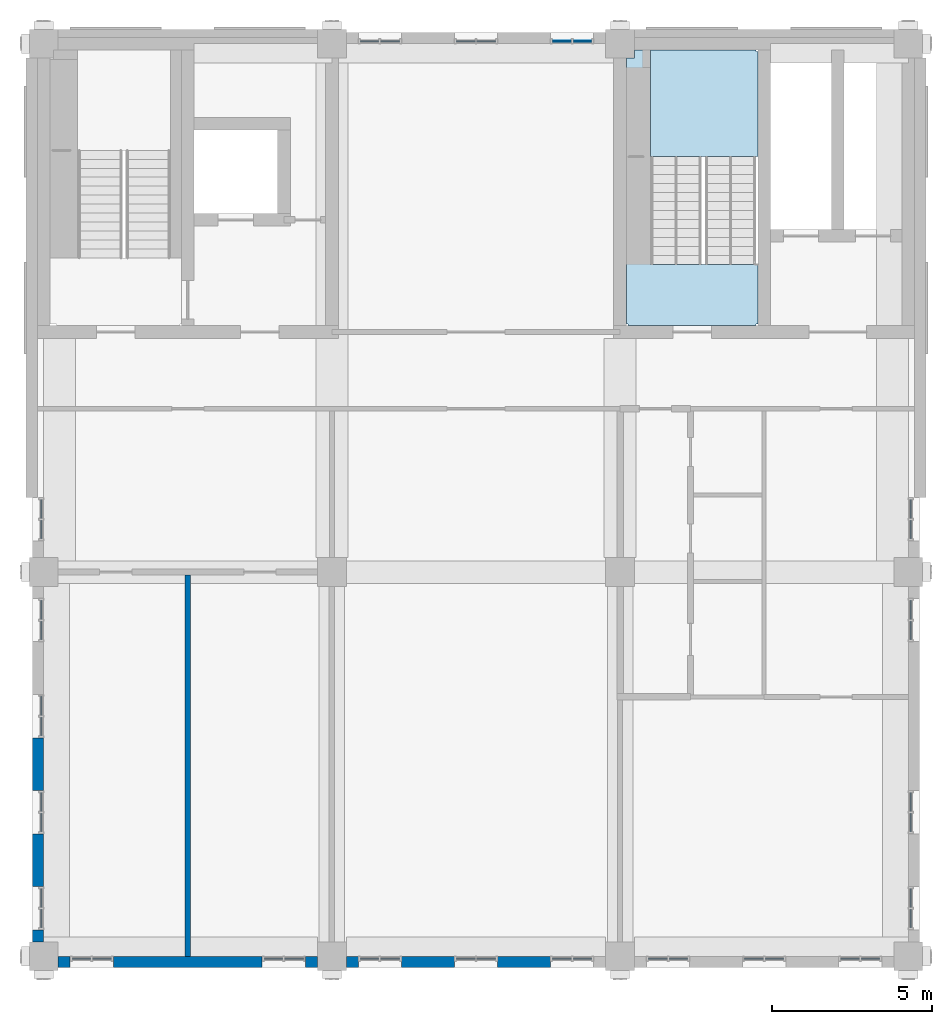
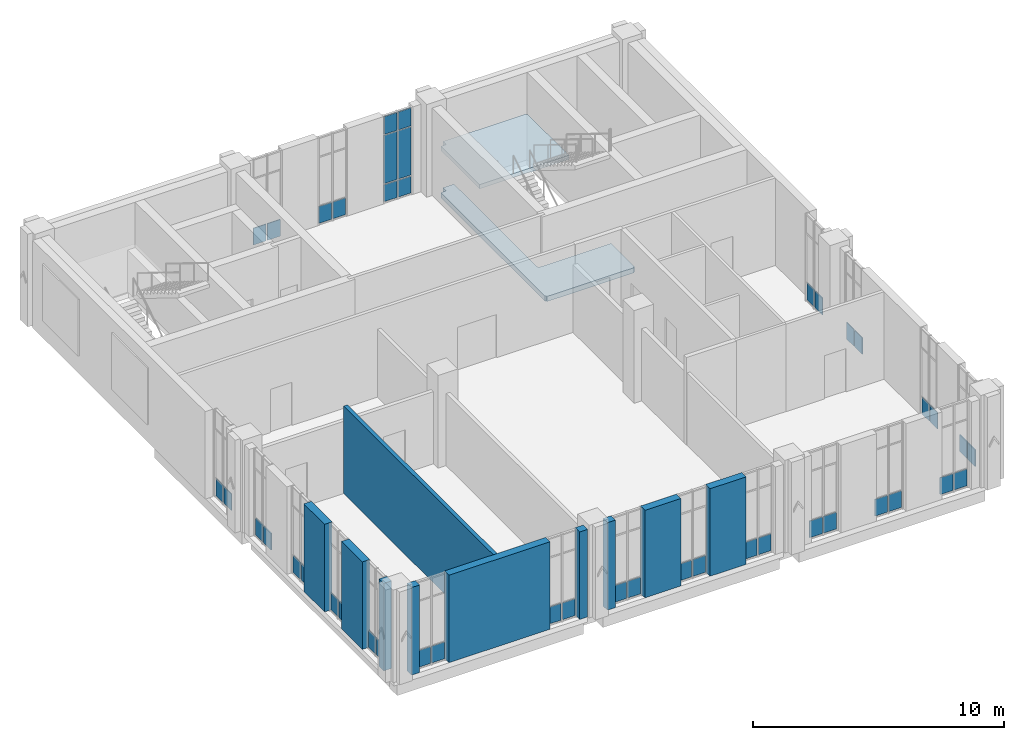
# One storey, part 8 of 13: 44 plates, 10 walls, 2 slabs, 21 elements without a shape of their own.
"""IFC4 building model written with IfcOpenShell, lengths in metres."""

from ifc_helpers import new_model, si_unit, direction, frame, frame_2d, origin, origin_2d, place, context, subcontext, project, spatial, polyline, rectangle, outline, extrude, material, layer, layer_set, type_object, element, aggregate, save


model = new_model("IFC4")

# Units and contexts
model_context = context("Model", 3, precision=1e-05, world=origin(), true_north=direction((0.0, 1.0)))
body_context = subcontext(model_context, "Body", "Model", "MODEL_VIEW")
ifc_project = project(units=[si_unit("LENGTHUNIT", "METRE"), si_unit("AREAUNIT", "SQUARE_METRE"), si_unit("VOLUMEUNIT", "CUBIC_METRE"), si_unit("PLANEANGLEUNIT", "RADIAN"), si_unit("MASSUNIT", "GRAM", prefix="KILO")], contexts=[model_context])

# Site, building, storey
site_placement = place(None, origin())
site = spatial("IfcSite", under=ifc_project, at=site_placement, CompositionType="ELEMENT")
building_placement = place(site_placement, origin())
building = spatial("IfcBuilding", under=site, at=building_placement, Name="Aurelan Courthouse", CompositionType="ELEMENT")
storey_placement = place(building_placement, frame((0.0, 0.0, 48.89990234375)))
storey = spatial("IfcBuildingStorey", under=building, at=storey_placement, Name="L09", CompositionType="ELEMENT", Elevation=48.89990234375)

# Curtain wall, plates
ifc_material_1 = material(Name="Bronze-finished aluminium and glass", Category="aluminium")
ifc_layer_1 = layer(ifc_material_1, 0.14990234375)
ifc_layer_set_1 = layer_set([ifc_layer_1], Name="Bronze-finished aluminium and glass")
curtain_wall_type = type_object("IfcCurtainWallType", Name="Curtain wall 1350 x 4250", PredefinedType="NOTDEFINED", material=ifc_layer_set_1)
curtain_wall_1_placement = place(storey_placement, origin())
curtain_wall_1 = element("IfcCurtainWall", 1, at=curtain_wall_1_placement, inside=storey, type_object=curtain_wall_type, Name="Curtain wall CW-V5-L09-N03", PredefinedType="NOTDEFINED")
ifc_material_2 = material(Name="Limestone cladding", Category="masonry")
ifc_layer_2 = layer(ifc_material_2, 0.0400390625, Name="Facing")
ifc_material_3 = material(Name="Bronze sheet cladding", Category="bronze")
ifc_layer_3 = layer(ifc_material_3, 0.02001953125, Name="Back sheet")
ifc_layer_set_2 = layer_set([ifc_layer_2, ifc_layer_3], Name="Limestone cladding")
plate_type_1 = type_object("IfcPlateType", Name="Limestone spandrel panel with bronze back sheet 60", PredefinedType="CURTAIN_PANEL", material=ifc_layer_set_2)
plate_1_placement = place(storey_placement, frame((16.177490234375, 28.574951171875, 3.330078125), z_axis=(0.0, 0.0, 1.0), x_axis=(1.0, 0.0, 0.0)))
plate_1 = element("IfcPlate", 2, at=plate_1_placement, type_object=plate_type_1, Name="CW-V5-L09-N03 spandrel panel 1.3", PredefinedType="CURTAIN_PANEL", context=body_context, shape_type="SweptSolid", body=[
    extrude(rectangle(XDim=0.5849609375, YDim=0.06005859375, at=origin_2d()), origin(), (0.0, 0.0, 1.0), 0.860107421875),
])
plate_2_placement = place(storey_placement, frame((16.822509765625, 28.574951171875, 3.330078125), z_axis=(0.0, 0.0, 1.0), x_axis=(1.0, 0.0, 0.0)))
plate_2 = element("IfcPlate", 3, at=plate_2_placement, type_object=plate_type_1, Name="CW-V5-L09-N03 spandrel panel 2.3", PredefinedType="CURTAIN_PANEL", context=body_context, shape_type="SweptSolid", body=[
    extrude(rectangle(XDim=0.5849609375, YDim=0.06005859375, at=origin_2d()), origin(), (0.0, 0.0, 1.0), 0.860107421875),
])

curtain_wall_2_placement = place(storey_placement, origin())
curtain_wall_2 = element("IfcCurtainWall", 4, at=curtain_wall_2_placement, inside=storey, type_object=curtain_wall_type, Name="Curtain wall CW-V5-L09-S01", PredefinedType="NOTDEFINED")
ifc_material_4 = material(Name="Bronze-finished aluminium", Category="aluminium")
ifc_layer_4 = layer(ifc_material_4, 0.0400390625)
ifc_layer_set_3 = layer_set([ifc_layer_4], Name="Bronze-finished aluminium")
plate_type_2 = type_object("IfcPlateType", Name="Sill panel 40", PredefinedType="CURTAIN_PANEL", material=ifc_layer_set_3)
plate_3_placement = place(storey_placement, frame((1.177490234375, -0.074951171875, 0.06005859375), z_axis=(0.0, 0.0, 1.0), x_axis=(1.0, 0.0, 0.0)))
plate_3 = element("IfcPlate", 5, at=plate_3_placement, type_object=plate_type_2, Name="CW-V5-L09-S01 sill panel 1.1", PredefinedType="CURTAIN_PANEL", context=body_context, shape_type="SweptSolid", body=[
    extrude(rectangle(XDim=0.5849609375, YDim=0.0400390625, at=origin_2d()), origin(), (0.0, 0.0, 1.0), 0.81005859375),
])
plate_4_placement = place(storey_placement, frame((1.822509765625, -0.074951171875, 0.06005859375), z_axis=(0.0, 0.0, 1.0), x_axis=(1.0, 0.0, 0.0)))
plate_4 = element("IfcPlate", 6, at=plate_4_placement, type_object=plate_type_2, Name="CW-V5-L09-S01 sill panel 2.1", PredefinedType="CURTAIN_PANEL", context=body_context, shape_type="SweptSolid", body=[
    extrude(rectangle(XDim=0.5849609375, YDim=0.0400390625, at=origin_2d()), origin(), (0.0, 0.0, 1.0), 0.81005859375),
])
aggregate(curtain_wall_2, [plate_3, plate_4])

curtain_wall_3_placement = place(storey_placement, origin())
curtain_wall_3 = element("IfcCurtainWall", 7, at=curtain_wall_3_placement, inside=storey, type_object=curtain_wall_type, Name="Curtain wall CW-V5-L09-S02", PredefinedType="NOTDEFINED")
plate_5_placement = place(storey_placement, frame((7.177490234375, -0.074951171875, 0.06005859375), z_axis=(0.0, 0.0, 1.0), x_axis=(1.0, 0.0, 0.0)))
plate_5 = element("IfcPlate", 8, at=plate_5_placement, type_object=plate_type_2, Name="CW-V5-L09-S02 sill panel 1.1", PredefinedType="CURTAIN_PANEL", context=body_context, shape_type="SweptSolid", body=[
    extrude(rectangle(XDim=0.5849609375, YDim=0.0400390625, at=origin_2d()), origin(), (0.0, 0.0, 1.0), 0.81005859375),
])
plate_6_placement = place(storey_placement, frame((7.822509765625, -0.074951171875, 0.06005859375), z_axis=(0.0, 0.0, 1.0), x_axis=(1.0, 0.0, 0.0)))
plate_6 = element("IfcPlate", 9, at=plate_6_placement, type_object=plate_type_2, Name="CW-V5-L09-S02 sill panel 2.1", PredefinedType="CURTAIN_PANEL", context=body_context, shape_type="SweptSolid", body=[
    extrude(rectangle(XDim=0.5849609375, YDim=0.0400390625, at=origin_2d()), origin(), (0.0, 0.0, 1.0), 0.81005859375),
])
aggregate(curtain_wall_3, [plate_5, plate_6])

curtain_wall_4_placement = place(storey_placement, origin())
curtain_wall_4 = element("IfcCurtainWall", 10, at=curtain_wall_4_placement, inside=storey, type_object=curtain_wall_type, Name="Curtain wall CW-V5-L09-S03", PredefinedType="NOTDEFINED")
plate_7_placement = place(storey_placement, frame((10.177490234375, -0.074951171875, 0.06005859375), z_axis=(0.0, 0.0, 1.0), x_axis=(1.0, 0.0, 0.0)))
plate_7 = element("IfcPlate", 11, at=plate_7_placement, type_object=plate_type_2, Name="CW-V5-L09-S03 sill panel 1.1", PredefinedType="CURTAIN_PANEL", context=body_context, shape_type="SweptSolid", body=[
    extrude(rectangle(XDim=0.5849609375, YDim=0.0400390625, at=origin_2d()), origin(), (0.0, 0.0, 1.0), 0.81005859375),
])
plate_8_placement = place(storey_placement, frame((10.822509765625, -0.074951171875, 0.06005859375), z_axis=(0.0, 0.0, 1.0), x_axis=(1.0, 0.0, 0.0)))
plate_8 = element("IfcPlate", 12, at=plate_8_placement, type_object=plate_type_2, Name="CW-V5-L09-S03 sill panel 2.1", PredefinedType="CURTAIN_PANEL", context=body_context, shape_type="SweptSolid", body=[
    extrude(rectangle(XDim=0.5849609375, YDim=0.0400390625, at=origin_2d()), origin(), (0.0, 0.0, 1.0), 0.81005859375),
])
aggregate(curtain_wall_4, [plate_7, plate_8])

curtain_wall_5_placement = place(storey_placement, origin())
curtain_wall_5 = element("IfcCurtainWall", 13, at=curtain_wall_5_placement, inside=storey, type_object=curtain_wall_type, Name="Curtain wall CW-V5-L09-S04", PredefinedType="NOTDEFINED")
plate_9_placement = place(storey_placement, frame((13.177490234375, -0.074951171875, 0.06005859375), z_axis=(0.0, 0.0, 1.0), x_axis=(1.0, 0.0, 0.0)))
plate_9 = element("IfcPlate", 14, at=plate_9_placement, type_object=plate_type_2, Name="CW-V5-L09-S04 sill panel 1.1", PredefinedType="CURTAIN_PANEL", context=body_context, shape_type="SweptSolid", body=[
    extrude(rectangle(XDim=0.5849609375, YDim=0.0400390625, at=origin_2d()), origin(), (0.0, 0.0, 1.0), 0.81005859375),
])
plate_10_placement = place(storey_placement, frame((13.822509765625, -0.074951171875, 0.06005859375), z_axis=(0.0, 0.0, 1.0), x_axis=(1.0, 0.0, 0.0)))
plate_10 = element("IfcPlate", 15, at=plate_10_placement, type_object=plate_type_2, Name="CW-V5-L09-S04 sill panel 2.1", PredefinedType="CURTAIN_PANEL", context=body_context, shape_type="SweptSolid", body=[
    extrude(rectangle(XDim=0.5849609375, YDim=0.0400390625, at=origin_2d()), origin(), (0.0, 0.0, 1.0), 0.81005859375),
])
aggregate(curtain_wall_5, [plate_9, plate_10])

curtain_wall_6_placement = place(storey_placement, origin())
curtain_wall_6 = element("IfcCurtainWall", 16, at=curtain_wall_6_placement, inside=storey, type_object=curtain_wall_type, Name="Curtain wall CW-V5-L09-S05", PredefinedType="NOTDEFINED")
plate_11_placement = place(storey_placement, frame((16.177490234375, -0.074951171875, 0.06005859375), z_axis=(0.0, 0.0, 1.0), x_axis=(1.0, 0.0, 0.0)))
plate_11 = element("IfcPlate", 17, at=plate_11_placement, type_object=plate_type_2, Name="CW-V5-L09-S05 sill panel 1.1", PredefinedType="CURTAIN_PANEL", context=body_context, shape_type="SweptSolid", body=[
    extrude(rectangle(XDim=0.5849609375, YDim=0.0400390625, at=origin_2d()), origin(), (0.0, 0.0, 1.0), 0.81005859375),
])
plate_12_placement = place(storey_placement, frame((16.822509765625, -0.074951171875, 0.06005859375), z_axis=(0.0, 0.0, 1.0), x_axis=(1.0, 0.0, 0.0)))
plate_12 = element("IfcPlate", 18, at=plate_12_placement, type_object=plate_type_2, Name="CW-V5-L09-S05 sill panel 2.1", PredefinedType="CURTAIN_PANEL", context=body_context, shape_type="SweptSolid", body=[
    extrude(rectangle(XDim=0.5849609375, YDim=0.0400390625, at=origin_2d()), origin(), (0.0, 0.0, 1.0), 0.81005859375),
])
aggregate(curtain_wall_6, [plate_11, plate_12])

curtain_wall_7_placement = place(storey_placement, origin())
curtain_wall_7 = element("IfcCurtainWall", 19, at=curtain_wall_7_placement, inside=storey, type_object=curtain_wall_type, Name="Curtain wall CW-V5-L09-S06", PredefinedType="NOTDEFINED")
plate_13_placement = place(storey_placement, frame((19.177490234375, -0.074951171875, 0.06005859375), z_axis=(0.0, 0.0, 1.0), x_axis=(1.0, 0.0, 0.0)))
plate_13 = element("IfcPlate", 20, at=plate_13_placement, type_object=plate_type_2, Name="CW-V5-L09-S06 sill panel 1.1", PredefinedType="CURTAIN_PANEL", context=body_context, shape_type="SweptSolid", body=[
    extrude(rectangle(XDim=0.5849609375, YDim=0.0400390625, at=origin_2d()), origin(), (0.0, 0.0, 1.0), 0.81005859375),
])
plate_14_placement = place(storey_placement, frame((19.822509765625, -0.074951171875, 0.06005859375), z_axis=(0.0, 0.0, 1.0), x_axis=(1.0, 0.0, 0.0)))
plate_14 = element("IfcPlate", 21, at=plate_14_placement, type_object=plate_type_2, Name="CW-V5-L09-S06 sill panel 2.1", PredefinedType="CURTAIN_PANEL", context=body_context, shape_type="SweptSolid", body=[
    extrude(rectangle(XDim=0.5849609375, YDim=0.0400390625, at=origin_2d()), origin(), (0.0, 0.0, 1.0), 0.81005859375),
])
aggregate(curtain_wall_7, [plate_13, plate_14])

curtain_wall_8_placement = place(storey_placement, origin())
curtain_wall_8 = element("IfcCurtainWall", 22, at=curtain_wall_8_placement, inside=storey, type_object=curtain_wall_type, Name="Curtain wall CW-V5-L09-S07", PredefinedType="NOTDEFINED")
plate_15_placement = place(storey_placement, frame((22.177490234375, -0.074951171875, 0.06005859375), z_axis=(0.0, 0.0, 1.0), x_axis=(1.0, 0.0, 0.0)))
plate_15 = element("IfcPlate", 23, at=plate_15_placement, type_object=plate_type_2, Name="CW-V5-L09-S07 sill panel 1.1", PredefinedType="CURTAIN_PANEL", context=body_context, shape_type="SweptSolid", body=[
    extrude(rectangle(XDim=0.5849609375, YDim=0.0400390625, at=origin_2d()), origin(), (0.0, 0.0, 1.0), 0.81005859375),
])
plate_16_placement = place(storey_placement, frame((22.822509765625, -0.074951171875, 0.06005859375), z_axis=(0.0, 0.0, 1.0), x_axis=(1.0, 0.0, 0.0)))
plate_16 = element("IfcPlate", 24, at=plate_16_placement, type_object=plate_type_2, Name="CW-V5-L09-S07 sill panel 2.1", PredefinedType="CURTAIN_PANEL", context=body_context, shape_type="SweptSolid", body=[
    extrude(rectangle(XDim=0.5849609375, YDim=0.0400390625, at=origin_2d()), origin(), (0.0, 0.0, 1.0), 0.81005859375),
])
aggregate(curtain_wall_8, [plate_15, plate_16])

curtain_wall_9_placement = place(storey_placement, origin())
curtain_wall_9 = element("IfcCurtainWall", 25, at=curtain_wall_9_placement, inside=storey, type_object=curtain_wall_type, Name="Curtain wall CW-V5-L09-S08", PredefinedType="NOTDEFINED")
plate_17_placement = place(storey_placement, frame((25.177490234375, -0.074951171875, 0.06005859375), z_axis=(0.0, 0.0, 1.0), x_axis=(1.0, 0.0, 0.0)))
plate_17 = element("IfcPlate", 26, at=plate_17_placement, type_object=plate_type_2, Name="CW-V5-L09-S08 sill panel 1.1", PredefinedType="CURTAIN_PANEL", context=body_context, shape_type="SweptSolid", body=[
    extrude(rectangle(XDim=0.5849609375, YDim=0.0400390625, at=origin_2d()), origin(), (0.0, 0.0, 1.0), 0.81005859375),
])
plate_18_placement = place(storey_placement, frame((25.822509765625, -0.074951171875, 0.06005859375), z_axis=(0.0, 0.0, 1.0), x_axis=(1.0, 0.0, 0.0)))
plate_18 = element("IfcPlate", 27, at=plate_18_placement, type_object=plate_type_2, Name="CW-V5-L09-S08 sill panel 2.1", PredefinedType="CURTAIN_PANEL", context=body_context, shape_type="SweptSolid", body=[
    extrude(rectangle(XDim=0.5849609375, YDim=0.0400390625, at=origin_2d()), origin(), (0.0, 0.0, 1.0), 0.81005859375),
])
aggregate(curtain_wall_9, [plate_17, plate_18])

curtain_wall_10_placement = place(storey_placement, origin())
curtain_wall_10 = element("IfcCurtainWall", 28, at=curtain_wall_10_placement, inside=storey, type_object=curtain_wall_type, Name="Curtain wall CW-V5-L09-N01", PredefinedType="NOTDEFINED")
plate_19_placement = place(storey_placement, frame((10.177490234375, 28.574951171875, 0.06005859375), z_axis=(0.0, 0.0, 1.0), x_axis=(1.0, 0.0, 0.0)))
plate_19 = element("IfcPlate", 29, at=plate_19_placement, type_object=plate_type_2, Name="CW-V5-L09-N01 sill panel 1.1", PredefinedType="CURTAIN_PANEL", context=body_context, shape_type="SweptSolid", body=[
    extrude(rectangle(XDim=0.5849609375, YDim=0.0400390625, at=origin_2d()), origin(), (0.0, 0.0, 1.0), 0.81005859375),
])
plate_20_placement = place(storey_placement, frame((10.822509765625, 28.574951171875, 0.06005859375), z_axis=(0.0, 0.0, 1.0), x_axis=(1.0, 0.0, 0.0)))
plate_20 = element("IfcPlate", 30, at=plate_20_placement, type_object=plate_type_2, Name="CW-V5-L09-N01 sill panel 2.1", PredefinedType="CURTAIN_PANEL", context=body_context, shape_type="SweptSolid", body=[
    extrude(rectangle(XDim=0.5849609375, YDim=0.0400390625, at=origin_2d()), origin(), (0.0, 0.0, 1.0), 0.81005859375),
])
aggregate(curtain_wall_10, [plate_19, plate_20])

curtain_wall_11_placement = place(storey_placement, origin())
curtain_wall_11 = element("IfcCurtainWall", 31, at=curtain_wall_11_placement, inside=storey, type_object=curtain_wall_type, Name="Curtain wall CW-V5-L09-N02", PredefinedType="NOTDEFINED")
plate_21_placement = place(storey_placement, frame((13.177490234375, 28.574951171875, 0.06005859375), z_axis=(0.0, 0.0, 1.0), x_axis=(1.0, 0.0, 0.0)))
plate_21 = element("IfcPlate", 32, at=plate_21_placement, type_object=plate_type_2, Name="CW-V5-L09-N02 sill panel 1.1", PredefinedType="CURTAIN_PANEL", context=body_context, shape_type="SweptSolid", body=[
    extrude(rectangle(XDim=0.5849609375, YDim=0.0400390625, at=origin_2d()), origin(), (0.0, 0.0, 1.0), 0.81005859375),
])
plate_22_placement = place(storey_placement, frame((13.822509765625, 28.574951171875, 0.06005859375), z_axis=(0.0, 0.0, 1.0), x_axis=(1.0, 0.0, 0.0)))
plate_22 = element("IfcPlate", 33, at=plate_22_placement, type_object=plate_type_2, Name="CW-V5-L09-N02 sill panel 2.1", PredefinedType="CURTAIN_PANEL", context=body_context, shape_type="SweptSolid", body=[
    extrude(rectangle(XDim=0.5849609375, YDim=0.0400390625, at=origin_2d()), origin(), (0.0, 0.0, 1.0), 0.81005859375),
])
aggregate(curtain_wall_11, [plate_21, plate_22])

# Plate
plate_23_placement = place(storey_placement, frame((16.177490234375, 28.574951171875, 0.06005859375), z_axis=(0.0, 0.0, 1.0), x_axis=(1.0, 0.0, 0.0)))
plate_23 = element("IfcPlate", 34, at=plate_23_placement, type_object=plate_type_2, Name="CW-V5-L09-N03 sill panel 1.1", PredefinedType="CURTAIN_PANEL", context=body_context, shape_type="SweptSolid", body=[
    extrude(rectangle(XDim=0.5849609375, YDim=0.0400390625, at=origin_2d()), origin(), (0.0, 0.0, 1.0), 0.81005859375),
])

plate_24_placement = place(storey_placement, frame((16.822509765625, 28.574951171875, 0.06005859375), z_axis=(0.0, 0.0, 1.0), x_axis=(1.0, 0.0, 0.0)))
plate_24 = element("IfcPlate", 35, at=plate_24_placement, type_object=plate_type_2, Name="CW-V5-L09-N03 sill panel 2.1", PredefinedType="CURTAIN_PANEL", context=body_context, shape_type="SweptSolid", body=[
    extrude(rectangle(XDim=0.5849609375, YDim=0.0400390625, at=origin_2d()), origin(), (0.0, 0.0, 1.0), 0.81005859375),
])

# Curtain wall, plates
curtain_wall_12_placement = place(storey_placement, origin())
curtain_wall_12 = element("IfcCurtainWall", 36, at=curtain_wall_12_placement, inside=storey, type_object=curtain_wall_type, Name="Curtain wall CW-V5-L09-E01", PredefinedType="NOTDEFINED")
plate_25_placement = place(storey_placement, frame((27.074951171875, 1.177490234375, 0.06005859375), z_axis=(0.0, 0.0, 1.0), x_axis=(0.0, 1.0, 0.0)))
plate_25 = element("IfcPlate", 37, at=plate_25_placement, type_object=plate_type_2, Name="CW-V5-L09-E01 sill panel 1.1", PredefinedType="CURTAIN_PANEL", context=body_context, shape_type="SweptSolid", body=[
    extrude(rectangle(XDim=0.5849609375, YDim=0.0400390625, at=origin_2d()), origin(), (0.0, 0.0, 1.0), 0.81005859375),
])
plate_26_placement = place(storey_placement, frame((27.074951171875, 1.822509765625, 0.06005859375), z_axis=(0.0, 0.0, 1.0), x_axis=(0.0, 1.0, 0.0)))
plate_26 = element("IfcPlate", 38, at=plate_26_placement, type_object=plate_type_2, Name="CW-V5-L09-E01 sill panel 2.1", PredefinedType="CURTAIN_PANEL", context=body_context, shape_type="SweptSolid", body=[
    extrude(rectangle(XDim=0.5849609375, YDim=0.0400390625, at=origin_2d()), origin(), (0.0, 0.0, 1.0), 0.81005859375),
])
aggregate(curtain_wall_12, [plate_25, plate_26])

curtain_wall_13_placement = place(storey_placement, origin())
curtain_wall_13 = element("IfcCurtainWall", 39, at=curtain_wall_13_placement, inside=storey, type_object=curtain_wall_type, Name="Curtain wall CW-V5-L09-E02", PredefinedType="NOTDEFINED")
plate_27_placement = place(storey_placement, frame((27.074951171875, 4.177490234375, 0.06005859375), z_axis=(0.0, 0.0, 1.0), x_axis=(0.0, 1.0, 0.0)))
plate_27 = element("IfcPlate", 40, at=plate_27_placement, type_object=plate_type_2, Name="CW-V5-L09-E02 sill panel 1.1", PredefinedType="CURTAIN_PANEL", context=body_context, shape_type="SweptSolid", body=[
    extrude(rectangle(XDim=0.5849609375, YDim=0.0400390625, at=origin_2d()), origin(), (0.0, 0.0, 1.0), 0.81005859375),
])
plate_28_placement = place(storey_placement, frame((27.074951171875, 4.822509765625, 0.06005859375), z_axis=(0.0, 0.0, 1.0), x_axis=(0.0, 1.0, 0.0)))
plate_28 = element("IfcPlate", 41, at=plate_28_placement, type_object=plate_type_2, Name="CW-V5-L09-E02 sill panel 2.1", PredefinedType="CURTAIN_PANEL", context=body_context, shape_type="SweptSolid", body=[
    extrude(rectangle(XDim=0.5849609375, YDim=0.0400390625, at=origin_2d()), origin(), (0.0, 0.0, 1.0), 0.81005859375),
])
aggregate(curtain_wall_13, [plate_27, plate_28])

curtain_wall_14_placement = place(storey_placement, origin())
curtain_wall_14 = element("IfcCurtainWall", 42, at=curtain_wall_14_placement, inside=storey, type_object=curtain_wall_type, Name="Curtain wall CW-V5-L09-E03", PredefinedType="NOTDEFINED")
plate_29_placement = place(storey_placement, frame((27.074951171875, 10.177490234375, 0.06005859375), z_axis=(0.0, 0.0, 1.0), x_axis=(0.0, 1.0, 0.0)))
plate_29 = element("IfcPlate", 43, at=plate_29_placement, type_object=plate_type_2, Name="CW-V5-L09-E03 sill panel 1.1", PredefinedType="CURTAIN_PANEL", context=body_context, shape_type="SweptSolid", body=[
    extrude(rectangle(XDim=0.5849609375, YDim=0.0400390625, at=origin_2d()), origin(), (0.0, 0.0, 1.0), 0.81005859375),
])
plate_30_placement = place(storey_placement, frame((27.074951171875, 10.822509765625, 0.06005859375), z_axis=(0.0, 0.0, 1.0), x_axis=(0.0, 1.0, 0.0)))
plate_30 = element("IfcPlate", 44, at=plate_30_placement, type_object=plate_type_2, Name="CW-V5-L09-E03 sill panel 2.1", PredefinedType="CURTAIN_PANEL", context=body_context, shape_type="SweptSolid", body=[
    extrude(rectangle(XDim=0.5849609375, YDim=0.0400390625, at=origin_2d()), origin(), (0.0, 0.0, 1.0), 0.81005859375),
])
aggregate(curtain_wall_14, [plate_29, plate_30])

curtain_wall_15_placement = place(storey_placement, origin())
curtain_wall_15 = element("IfcCurtainWall", 45, at=curtain_wall_15_placement, inside=storey, type_object=curtain_wall_type, Name="Curtain wall CW-V5-L09-E04", PredefinedType="NOTDEFINED")
plate_31_placement = place(storey_placement, frame((27.074951171875, 13.327392578125, 0.06005859375), z_axis=(0.0, 0.0, 1.0), x_axis=(0.0, 1.0, 0.0)))
plate_31 = element("IfcPlate", 46, at=plate_31_placement, type_object=plate_type_2, Name="CW-V5-L09-E04 sill panel 1.1", PredefinedType="CURTAIN_PANEL", context=body_context, shape_type="SweptSolid", body=[
    extrude(rectangle(XDim=0.5849609375, YDim=0.0400390625, at=origin_2d()), origin(), (0.0, 0.0, 1.0), 0.81005859375),
])
plate_32_placement = place(storey_placement, frame((27.074951171875, 13.972412109375, 0.06005859375), z_axis=(0.0, 0.0, 1.0), x_axis=(0.0, 1.0, 0.0)))
plate_32 = element("IfcPlate", 47, at=plate_32_placement, type_object=plate_type_2, Name="CW-V5-L09-E04 sill panel 2.1", PredefinedType="CURTAIN_PANEL", context=body_context, shape_type="SweptSolid", body=[
    extrude(rectangle(XDim=0.5849609375, YDim=0.0400390625, at=origin_2d()), origin(), (0.0, 0.0, 1.0), 0.81005859375),
])
aggregate(curtain_wall_15, [plate_31, plate_32])

curtain_wall_16_placement = place(storey_placement, origin())
curtain_wall_16 = element("IfcCurtainWall", 48, at=curtain_wall_16_placement, inside=storey, type_object=curtain_wall_type, Name="Curtain wall CW-V5-L09-W01", PredefinedType="NOTDEFINED")
plate_33_placement = place(storey_placement, frame((-0.074951171875, 1.177490234375, 0.06005859375), z_axis=(0.0, 0.0, 1.0), x_axis=(0.0, 1.0, 0.0)))
plate_33 = element("IfcPlate", 49, at=plate_33_placement, type_object=plate_type_2, Name="CW-V5-L09-W01 sill panel 1.1", PredefinedType="CURTAIN_PANEL", context=body_context, shape_type="SweptSolid", body=[
    extrude(rectangle(XDim=0.5849609375, YDim=0.0400390625, at=origin_2d()), origin(), (0.0, 0.0, 1.0), 0.81005859375),
])
plate_34_placement = place(storey_placement, frame((-0.074951171875, 1.822509765625, 0.06005859375), z_axis=(0.0, 0.0, 1.0), x_axis=(0.0, 1.0, 0.0)))
plate_34 = element("IfcPlate", 50, at=plate_34_placement, type_object=plate_type_2, Name="CW-V5-L09-W01 sill panel 2.1", PredefinedType="CURTAIN_PANEL", context=body_context, shape_type="SweptSolid", body=[
    extrude(rectangle(XDim=0.5849609375, YDim=0.0400390625, at=origin_2d()), origin(), (0.0, 0.0, 1.0), 0.81005859375),
])
aggregate(curtain_wall_16, [plate_33, plate_34])

curtain_wall_17_placement = place(storey_placement, origin())
curtain_wall_17 = element("IfcCurtainWall", 51, at=curtain_wall_17_placement, inside=storey, type_object=curtain_wall_type, Name="Curtain wall CW-V5-L09-W02", PredefinedType="NOTDEFINED")
plate_35_placement = place(storey_placement, frame((-0.074951171875, 4.177490234375, 0.06005859375), z_axis=(0.0, 0.0, 1.0), x_axis=(0.0, 1.0, 0.0)))
plate_35 = element("IfcPlate", 52, at=plate_35_placement, type_object=plate_type_2, Name="CW-V5-L09-W02 sill panel 1.1", PredefinedType="CURTAIN_PANEL", context=body_context, shape_type="SweptSolid", body=[
    extrude(rectangle(XDim=0.5849609375, YDim=0.0400390625, at=origin_2d()), origin(), (0.0, 0.0, 1.0), 0.81005859375),
])
plate_36_placement = place(storey_placement, frame((-0.074951171875, 4.822509765625, 0.06005859375), z_axis=(0.0, 0.0, 1.0), x_axis=(0.0, 1.0, 0.0)))
plate_36 = element("IfcPlate", 53, at=plate_36_placement, type_object=plate_type_2, Name="CW-V5-L09-W02 sill panel 2.1", PredefinedType="CURTAIN_PANEL", context=body_context, shape_type="SweptSolid", body=[
    extrude(rectangle(XDim=0.5849609375, YDim=0.0400390625, at=origin_2d()), origin(), (0.0, 0.0, 1.0), 0.81005859375),
])
aggregate(curtain_wall_17, [plate_35, plate_36])

curtain_wall_18_placement = place(storey_placement, origin())
curtain_wall_18 = element("IfcCurtainWall", 54, at=curtain_wall_18_placement, inside=storey, type_object=curtain_wall_type, Name="Curtain wall CW-V5-L09-W03", PredefinedType="NOTDEFINED")
plate_37_placement = place(storey_placement, frame((-0.074951171875, 7.177490234375, 0.06005859375), z_axis=(0.0, 0.0, 1.0), x_axis=(0.0, 1.0, 0.0)))
plate_37 = element("IfcPlate", 55, at=plate_37_placement, type_object=plate_type_2, Name="CW-V5-L09-W03 sill panel 1.1", PredefinedType="CURTAIN_PANEL", context=body_context, shape_type="SweptSolid", body=[
    extrude(rectangle(XDim=0.5849609375, YDim=0.0400390625, at=origin_2d()), origin(), (0.0, 0.0, 1.0), 0.81005859375),
])
plate_38_placement = place(storey_placement, frame((-0.074951171875, 7.822509765625, 0.06005859375), z_axis=(0.0, 0.0, 1.0), x_axis=(0.0, 1.0, 0.0)))
plate_38 = element("IfcPlate", 56, at=plate_38_placement, type_object=plate_type_2, Name="CW-V5-L09-W03 sill panel 2.1", PredefinedType="CURTAIN_PANEL", context=body_context, shape_type="SweptSolid", body=[
    extrude(rectangle(XDim=0.5849609375, YDim=0.0400390625, at=origin_2d()), origin(), (0.0, 0.0, 1.0), 0.81005859375),
])
aggregate(curtain_wall_18, [plate_37, plate_38])

curtain_wall_19_placement = place(storey_placement, origin())
curtain_wall_19 = element("IfcCurtainWall", 57, at=curtain_wall_19_placement, inside=storey, type_object=curtain_wall_type, Name="Curtain wall CW-V5-L09-W04", PredefinedType="NOTDEFINED")
plate_39_placement = place(storey_placement, frame((-0.074951171875, 10.177490234375, 0.06005859375), z_axis=(0.0, 0.0, 1.0), x_axis=(0.0, 1.0, 0.0)))
plate_39 = element("IfcPlate", 58, at=plate_39_placement, type_object=plate_type_2, Name="CW-V5-L09-W04 sill panel 1.1", PredefinedType="CURTAIN_PANEL", context=body_context, shape_type="SweptSolid", body=[
    extrude(rectangle(XDim=0.5849609375, YDim=0.0400390625, at=origin_2d()), origin(), (0.0, 0.0, 1.0), 0.81005859375),
])
plate_40_placement = place(storey_placement, frame((-0.074951171875, 10.822509765625, 0.06005859375), z_axis=(0.0, 0.0, 1.0), x_axis=(0.0, 1.0, 0.0)))
plate_40 = element("IfcPlate", 59, at=plate_40_placement, type_object=plate_type_2, Name="CW-V5-L09-W04 sill panel 2.1", PredefinedType="CURTAIN_PANEL", context=body_context, shape_type="SweptSolid", body=[
    extrude(rectangle(XDim=0.5849609375, YDim=0.0400390625, at=origin_2d()), origin(), (0.0, 0.0, 1.0), 0.81005859375),
])
aggregate(curtain_wall_19, [plate_39, plate_40])

curtain_wall_20_placement = place(storey_placement, origin())
curtain_wall_20 = element("IfcCurtainWall", 60, at=curtain_wall_20_placement, inside=storey, type_object=curtain_wall_type, Name="Curtain wall CW-V5-L09-W05", PredefinedType="NOTDEFINED")
plate_41_placement = place(storey_placement, frame((-0.074951171875, 13.327392578125, 0.06005859375), z_axis=(0.0, 0.0, 1.0), x_axis=(0.0, 1.0, 0.0)))
plate_41 = element("IfcPlate", 61, at=plate_41_placement, type_object=plate_type_2, Name="CW-V5-L09-W05 sill panel 1.1", PredefinedType="CURTAIN_PANEL", context=body_context, shape_type="SweptSolid", body=[
    extrude(rectangle(XDim=0.5849609375, YDim=0.0400390625, at=origin_2d()), origin(), (0.0, 0.0, 1.0), 0.81005859375),
])
plate_42_placement = place(storey_placement, frame((-0.074951171875, 13.972412109375, 0.06005859375), z_axis=(0.0, 0.0, 1.0), x_axis=(0.0, 1.0, 0.0)))
plate_42 = element("IfcPlate", 62, at=plate_42_placement, type_object=plate_type_2, Name="CW-V5-L09-W05 sill panel 2.1", PredefinedType="CURTAIN_PANEL", context=body_context, shape_type="SweptSolid", body=[
    extrude(rectangle(XDim=0.5849609375, YDim=0.0400390625, at=origin_2d()), origin(), (0.0, 0.0, 1.0), 0.81005859375),
])
aggregate(curtain_wall_20, [plate_41, plate_42])

# Stair, slabs
ifc_material_5 = material(Name="Concrete C30", Category="concrete")
stair_type = type_object("IfcStairType", Name="Half-turn stair 1600 wide 26 risers", PredefinedType="HALF_TURN_STAIR", material=ifc_material_5)
stair_placement = place(storey_placement, origin())
stair = element("IfcStair", 63, at=stair_placement, inside=storey, type_object=stair_type, Name="Stair ST-5A-L09", PredefinedType="HALF_TURN_STAIR")
ifc_layer_5 = layer(ifc_material_5, 0.25)
ifc_layer_set_4 = layer_set([ifc_layer_5], Name="Concrete C30")
slab_type_1 = type_object("IfcSlabType", Name="Stair floor landing 250 thick", PredefinedType="LANDING", material=ifc_layer_set_4)
slab_1_placement = place(storey_placement, frame((0.0, 0.0, -0.25)))
slab_1 = element("IfcSlab", 64, at=slab_1_placement, type_object=slab_type_1, Name="Stair ST-5A-L09 floor landing", PredefinedType="LANDING", context=body_context, shape_type="SweptSolid", body=[
    extrude(outline(polyline([(22.300048828125, 21.611083984375), (22.300048828125, 19.75), (22.25, 19.75), (22.25, 19.699951171875), (18.25, 19.699951171875), (18.25, 19.75), (18.199951171875, 19.75), (18.199951171875, 28.050048828125), (18.449951171875, 28.050048828125), (18.449951171875, 28.300048828125), (18.949951171875, 28.300048828125), (18.949951171875, 28.25), (18.949951171875, 28.239990234375), (18.949951171875, 21.611083984375), (20.64990234375, 21.611083984375), (22.239990234375, 21.611083984375), (22.25, 21.611083984375), (22.300048828125, 21.611083984375)])), origin(), (0.0, 0.0, 1.0), 0.25),
])
ifc_layer_6 = layer(ifc_material_5, 0.199951171875)
ifc_layer_set_5 = layer_set([ifc_layer_6], Name="Concrete C30")
slab_type_2 = type_object("IfcSlabType", Name="Stair half landing 200 thick", PredefinedType="LANDING", material=ifc_layer_set_5)
slab_2_placement = place(storey_placement, frame((0.0, 0.0, 2.050048828125)))
slab_2 = element("IfcSlab", 65, at=slab_2_placement, type_object=slab_type_2, Name="Stair ST-5A-L09 half landing", PredefinedType="LANDING", context=body_context, shape_type="SweptSolid", body=[
    extrude(outline(polyline([(22.300048828125, 24.969970703125), (18.199951171875, 24.969970703125), (18.199951171875, 28.050048828125), (18.449951171875, 28.050048828125), (18.449951171875, 28.300048828125), (22.25, 28.300048828125), (22.25, 28.25), (22.300048828125, 28.25), (22.300048828125, 24.969970703125)])), origin(), (0.0, 0.0, 1.0), 0.199951171875),
])
aggregate(stair, [slab_2, slab_1])

# Plate
ifc_material_6 = material(Name="Laminated low-emissivity glass", Category="glass")
ifc_layer_7 = layer(ifc_material_6, 0.028076171875)
ifc_layer_set_6 = layer_set([ifc_layer_7], Name="Laminated low-emissivity glass")
plate_type_3 = type_object("IfcPlateType", Name="Vision glass panel 28", PredefinedType="CURTAIN_PANEL", material=ifc_layer_set_6)
plate_43_placement = place(storey_placement, frame((16.177490234375, 28.574951171875, 0.93017578125), z_axis=(0.0, 0.0, 1.0), x_axis=(1.0, 0.0, 0.0)))
plate_43 = element("IfcPlate", 66, at=plate_43_placement, type_object=plate_type_3, Name="CW-V5-L09-N03 vision panel 1.2", PredefinedType="CURTAIN_PANEL", context=body_context, shape_type="SweptSolid", body=[
    extrude(rectangle(XDim=0.5849609375, YDim=0.028076171875, at=origin_2d()), origin(), (0.0, 0.0, 1.0), 2.340087890625),
])

plate_44_placement = place(storey_placement, frame((16.822509765625, 28.574951171875, 0.93017578125), z_axis=(0.0, 0.0, 1.0), x_axis=(1.0, 0.0, 0.0)))
plate_44 = element("IfcPlate", 67, at=plate_44_placement, type_object=plate_type_3, Name="CW-V5-L09-N03 vision panel 2.2", PredefinedType="CURTAIN_PANEL", context=body_context, shape_type="SweptSolid", body=[
    extrude(rectangle(XDim=0.5849609375, YDim=0.028076171875, at=origin_2d()), origin(), (0.0, 0.0, 1.0), 2.340087890625),
])

aggregate(curtain_wall_1, [plate_23, plate_43, plate_1, plate_24, plate_44, plate_2])

# Walls
ifc_material_7 = material(Name="Gypsum board on metal studs")
ifc_layer_8 = layer(ifc_material_7, 0.175048828125)
ifc_layer_set_7 = layer_set([ifc_layer_8], Name="Gypsum board on metal studs")
wall_type_1 = type_object("IfcWallType", Name="Chambers acoustic partition 175 NOT RATED", PredefinedType="PARTITIONING", material=ifc_layer_set_7)
wall_1_placement = place(storey_placement, frame((4.5, 0.0, 0.0), z_axis=(0.0, 0.0, 1.0), x_axis=(0.0, 1.0, 0.0)))
element("IfcWall", 68, at=wall_1_placement, inside=storey, type_object=wall_type_1, Name="Chambers acoustic partition L09-012", PredefinedType="PARTITIONING", context=body_context, shape_type="SweptSolid", body=[
    extrude(rectangle(XDim=11.91259765625, YDim=0.175048828125, at=frame_2d((5.956298828125, 0.0))), origin(), (0.0, 0.0, 1.0), 4.25),
])
ifc_layer_9 = layer(ifc_material_2, 0.10009765625, Name="Facing")
ifc_material_8 = material(Name="Ventilated cavity")
ifc_layer_10 = layer(ifc_material_8, 0.02490234375, ventilated=True, Name="Ventilated cavity")
ifc_material_9 = material(Name="Mineral wool insulation")
ifc_layer_11 = layer(ifc_material_9, 0.050048828125, Name="Insulation")
ifc_layer_12 = layer(ifc_material_5, 0.175048828125, Name="Structure")
ifc_layer_set_8 = layer_set([ifc_layer_9, ifc_layer_10, ifc_layer_11, ifc_layer_12], Name="Concrete C30")
wall_type_2 = type_object("IfcWallType", Name="Courts' Floors stone-faced wall 350", PredefinedType="SOLIDWALL", material=ifc_layer_set_8)
wall_2_placement = place(storey_placement, frame((0.449951171875, -0.175048828125, 0.0), z_axis=(0.0, 0.0, 1.0), x_axis=(1.0, 0.0, 0.0)))
element("IfcWall", 69, at=wall_2_placement, inside=storey, type_object=wall_type_2, Name="Facade wall FW-V5-L09-001", PredefinedType="SOLIDWALL", context=body_context, shape_type="SweptSolid", body=[
    extrude(rectangle(XDim=0.375, YDim=0.35009765625, at=frame_2d((0.1875, 0.0))), origin(), (0.0, 0.0, 1.0), 4.25),
])
wall_3_placement = place(storey_placement, frame((2.175048828125, -0.175048828125, 0.0), z_axis=(0.0, 0.0, 1.0), x_axis=(1.0, 0.0, 0.0)))
element("IfcWall", 70, at=wall_3_placement, inside=storey, type_object=wall_type_2, Name="Facade wall FW-V5-L09-002", PredefinedType="SOLIDWALL", context=body_context, shape_type="SweptSolid", body=[
    extrude(rectangle(XDim=4.64990234375, YDim=0.35009765625, at=frame_2d((2.324951171875, 0.0))), origin(), (0.0, 0.0, 1.0), 4.25),
])
for number, where, z_axis, x_axis, name in (
    (71, (8.175048828125, -0.175048828125, 0.0), (0.0, 0.0, 1.0), (1.0, 0.0, 0.0), "Facade wall FW-V5-L09-003"),
    (72, (9.449951171875, -0.175048828125, 0.0), (0.0, 0.0, 1.0), (1.0, 0.0, 0.0), "Facade wall FW-V5-L09-004"),
):
    element("IfcWall", number, at=place(storey_placement, frame(where, z_axis=z_axis, x_axis=x_axis)), inside=storey, type_object=wall_type_2, Name=name, PredefinedType="SOLIDWALL", context=body_context, shape_type="SweptSolid", body=[
        extrude(rectangle(XDim=0.375, YDim=0.35009765625, at=frame_2d((0.1875, 0.0))), origin(), (0.0, 0.0, 1.0), 4.25),
    ])
for number, where, z_axis, x_axis, name in (
    (73, (11.175048828125, -0.175048828125, 0.0), (0.0, 0.0, 1.0), (1.0, 0.0, 0.0), "Facade wall FW-V5-L09-005"),
    (74, (14.175048828125, -0.175048828125, 0.0), (0.0, 0.0, 1.0), (1.0, 0.0, 0.0), "Facade wall FW-V5-L09-006"),
):
    element("IfcWall", number, at=place(storey_placement, frame(where, z_axis=z_axis, x_axis=x_axis)), inside=storey, type_object=wall_type_2, Name=name, PredefinedType="SOLIDWALL", context=body_context, shape_type="SweptSolid", body=[
        extrude(rectangle(XDim=1.64990234375, YDim=0.35009765625, at=frame_2d((0.824951171875, 0.0))), origin(), (0.0, 0.0, 1.0), 4.25),
    ])
wall_4_placement = place(storey_placement, frame((-0.175048828125, 0.449951171875, 0.0), z_axis=(0.0, 0.0, 1.0), x_axis=(0.0, 1.0, 0.0)))
element("IfcWall", 75, at=wall_4_placement, inside=storey, type_object=wall_type_2, Name="Facade wall FW-V5-L09-024", PredefinedType="SOLIDWALL", context=body_context, shape_type="SweptSolid", body=[
    extrude(rectangle(XDim=0.375, YDim=0.35009765625, at=frame_2d((0.1875, 0.0))), origin(), (0.0, 0.0, 1.0), 4.25),
])
for number, where, z_axis, x_axis, name in (
    (76, (-0.175048828125, 2.175048828125, 0.0), (0.0, 0.0, 1.0), (0.0, 1.0, 0.0), "Facade wall FW-V5-L09-025"),
    (77, (-0.175048828125, 5.175048828125, 0.0), (0.0, 0.0, 1.0), (0.0, 1.0, 0.0), "Facade wall FW-V5-L09-026"),
):
    element("IfcWall", number, at=place(storey_placement, frame(where, z_axis=z_axis, x_axis=x_axis)), inside=storey, type_object=wall_type_2, Name=name, PredefinedType="SOLIDWALL", context=body_context, shape_type="SweptSolid", body=[
        extrude(rectangle(XDim=1.64990234375, YDim=0.35009765625, at=frame_2d((0.824951171875, 0.0))), origin(), (0.0, 0.0, 1.0), 4.25),
    ])

save(model, "model.ifc")
